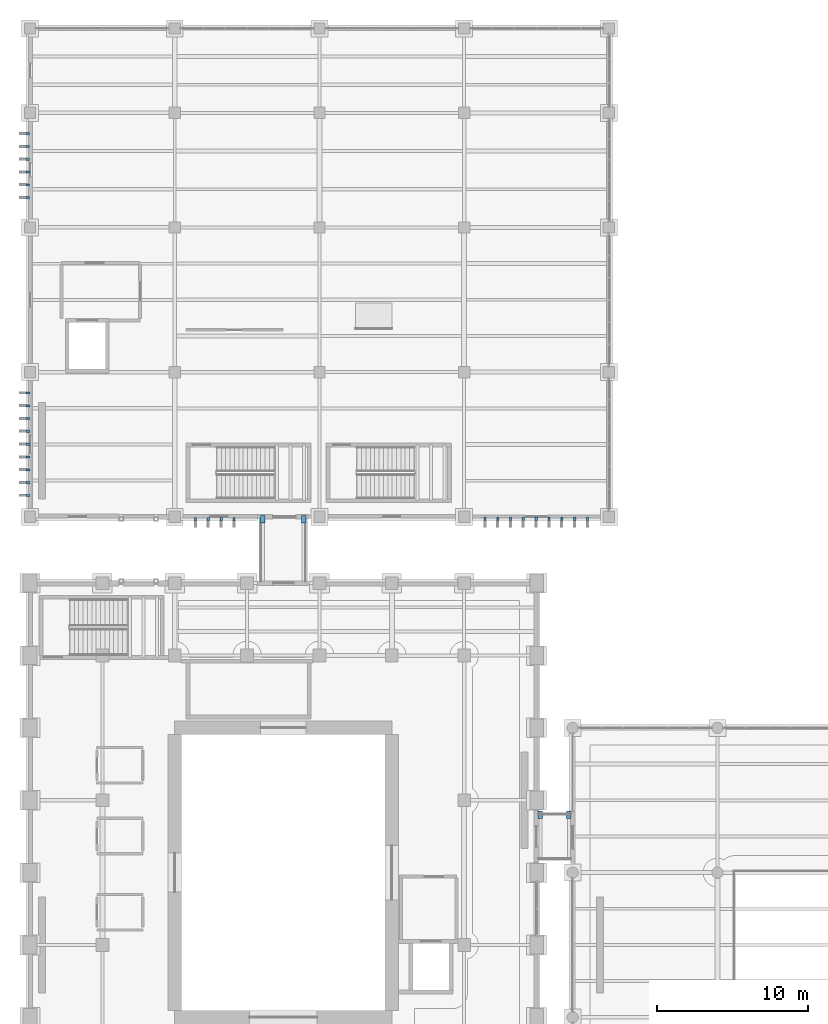
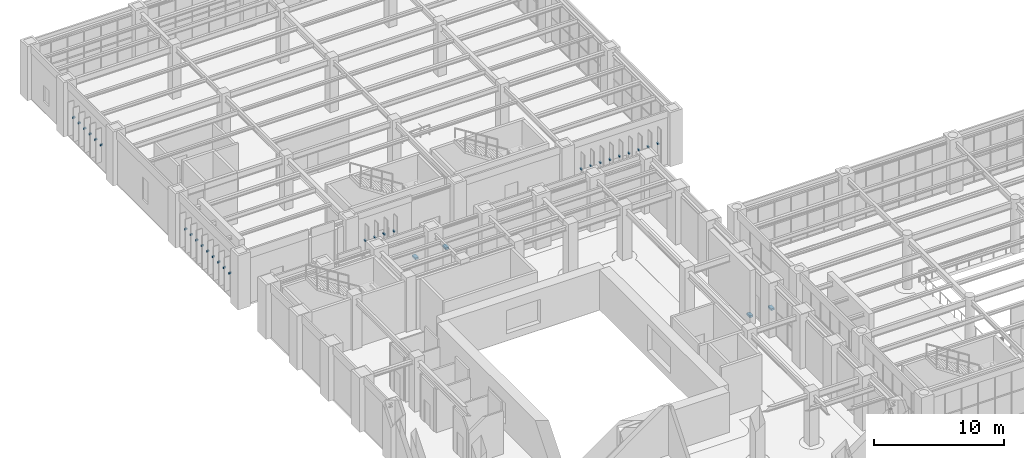
# One storey, part 151 of 174: 32 discrete accessories.
"""IFC4 building model written with IfcOpenShell, lengths in metres."""

import ifcopenshell
import ifcopenshell.guid

model = None  # the IFC model being written
_history = None  # IfcOwnerHistory: only IFC2X3 demands one
_inside = {}  # id of a spatial element -> (the spatial element, [elements in it])
_under = {}  # id of a project, library or spatial element -> (it, [spatial elements below it])
_declared = {}  # id of a project -> (the project, [libraries it declares])
_typed = {}  # id of a type object -> (the type object, [elements of that type])
_made_of = {}  # id of a material, layer set ... -> (it, [elements and type objects made of it])


def new_model(schema):
    """Start an empty IFC model of exactly this schema.

    Asked for "IFC4X3", IfcOpenShell would pick the latest addendum, in which some entities
    have other attributes; the version numbers below select the first issue.
    IFC2X3 requires an IfcOwnerHistory on every rooted entity: one is made here for all.
    """
    global model, _history
    if schema == "IFC4X3":
        model = ifcopenshell.file(schema_version=(4, 3, 0, 0))
    else:
        model = ifcopenshell.file(schema=schema)
    _inside.clear()
    _under.clear()
    _declared.clear()
    _typed.clear()
    _made_of.clear()
    _history = None
    if model.schema == "IFC2X3":
        org = make("IfcOrganization", Name="unknown")
        user = make(
            "IfcPersonAndOrganization",
            ThePerson=make("IfcPerson", FamilyName="unknown"),
            TheOrganization=org,
        )
        app = make(
            "IfcApplication",
            ApplicationDeveloper=org,
            Version="unknown",
            ApplicationFullName="unknown",
            ApplicationIdentifier="unknown",
        )
        _history = make(
            "IfcOwnerHistory",
            OwningUser=user,
            OwningApplication=app,
            ChangeAction="ADDED",
            CreationDate=0,
        )
    return model


def make(cls, **values):
    """One entity of the class cls with the attributes given. An attribute that is None is left unset."""
    return model.create_entity(
        cls, **{name: value for name, value in values.items() if value is not None}
    )


def rooted(cls, **values):
    """An entity with a GlobalId (a new one), such as an element, a storey or a relation."""
    return make(cls, GlobalId=ifcopenshell.guid.new(), OwnerHistory=_history, **values)


def si_unit(unit_type, name, prefix=None):
    """IfcSIUnit, for example si_unit("LENGTHUNIT", "METRE", prefix="MILLI")."""
    return make("IfcSIUnit", UnitType=unit_type, Prefix=prefix, Name=name)


def assignment(units):
    """IfcUnitAssignment: the units of a project."""
    return None if units is None else make("IfcUnitAssignment", Units=units)


def point(xyz):
    """IfcCartesianPoint."""
    return None if xyz is None else make("IfcCartesianPoint", Coordinates=xyz)


def direction(xyz):
    """IfcDirection."""
    return None if xyz is None else make("IfcDirection", DirectionRatios=xyz)


def frame(location, z_axis=None, x_axis=None):
    """IfcAxis2Placement3D, a coordinate frame: its origin and axes. An axis left out is left unset."""
    return make(
        "IfcAxis2Placement3D",
        Location=point(location),
        Axis=direction(z_axis),
        RefDirection=direction(x_axis),
    )


def frame_2d(location, x_axis=None):
    """IfcAxis2Placement2D, a coordinate frame in the plane: its origin and x axis."""
    return make(
        "IfcAxis2Placement2D", Location=point(location), RefDirection=direction(x_axis)
    )


def origin():
    """The frame at (0, 0, 0) with its axes left unset."""
    return frame((0.0, 0.0, 0.0))


def origin_2d():
    """The frame at (0, 0) in the plane with its x axis left unset."""
    return frame_2d((0.0, 0.0))


def place(relative_to, where):
    """IfcLocalPlacement: puts the frame where relative to a parent placement (None: the world)."""
    return make(
        "IfcLocalPlacement", PlacementRelTo=relative_to, RelativePlacement=where
    )


def context(
    kind, dimensions, precision=None, world=None, true_north=None, identifier=None
):
    """IfcGeometricRepresentationContext, for example the 3D "Model" context."""
    return make(
        "IfcGeometricRepresentationContext",
        ContextIdentifier=identifier,
        ContextType=kind,
        CoordinateSpaceDimension=dimensions,
        Precision=precision,
        WorldCoordinateSystem=world,
        TrueNorth=true_north,
    )


def subcontext(parent, identifier, kind, view, scale=None):
    """IfcGeometricRepresentationSubContext, for example "Body" below "Model"."""
    return make(
        "IfcGeometricRepresentationSubContext",
        ContextIdentifier=identifier,
        ContextType=kind,
        ParentContext=parent,
        TargetScale=scale,
        TargetView=view,
    )


def project(units=None, contexts=None):
    """IfcProject with its units and contexts."""
    return rooted(
        "IfcProject",
        Name="project",
        RepresentationContexts=contexts,
        UnitsInContext=assignment(units),
    )


def spatial(cls, under=None, at=None, **own):
    """A site, building, storey or space (cls), placed at a placement, below another one or the project."""
    s = rooted(cls, ObjectPlacement=at, **own)
    if under is not None:
        _under.setdefault(under.id(), (under, []))[1].append(s)
    return s


def profile(cls, at=None, kind="AREA", **sizes):
    """A parametric profile (cls). Its sizes go by their IFC names, for example OverallWidth=200.0."""
    return make(cls, ProfileType=kind, Position=at, **sizes)


def rectangle(**sizes):
    """IfcRectangleProfileDef."""
    return profile("IfcRectangleProfileDef", **sizes)


def extrude(swept, where, along, depth):
    """IfcExtrudedAreaSolid: the profile swept, set in the frame where, extruded along a direction by depth."""
    return make(
        "IfcExtrudedAreaSolid",
        SweptArea=swept,
        Position=where,
        ExtrudedDirection=direction(along),
        Depth=depth,
    )


def shape(context_of_items, identifier, shape_type, items):
    """IfcShapeRepresentation: the items that make up one representation, for example the "Body"."""
    return make(
        "IfcShapeRepresentation",
        ContextOfItems=context_of_items,
        RepresentationIdentifier=identifier,
        RepresentationType=shape_type,
        Items=items,
    )


def material(Name=None, Category=None):
    """IfcMaterial."""
    return make("IfcMaterial", Name=Name, Category=Category)


def made_of(thing, what):
    """Note that an element or type object is made of a material, layer set ...; save() writes the relation."""
    if what is not None:
        _made_of.setdefault(what.id(), (what, []))[1].append(thing)
    return thing


def type_object(cls, material=None, **own):
    """A type object (cls), such as IfcWallType, which elements share."""
    return made_of(rooted(cls, **own), material)


def element(
    cls,
    number,
    at=None,
    inside=None,
    cuts=None,
    type_object=None,
    material=None,
    context=None,
    identifier="Body",
    shape_type=None,
    held_by="IfcProductDefinitionShape",
    body=None,
    shapes=None,
    **own,
):
    """One element of the class cls, such as IfcWall. Its Tag is "e" and its number.

    at: its placement. inside: the storey or other place that contains it. cuts: it is an
    opening in that element (IfcRelVoidsElement). A single representation is given by context,
    identifier, shape_type and body (its items); several are given by shapes. held_by: the class
    of the entity that holds the representations. save() writes the other relations.
    """
    e = rooted(cls, Tag="e%d" % number, ObjectPlacement=at, **own)
    if body is not None:
        shapes = [shape(context, identifier, shape_type, body)]
    if shapes is not None:
        e.Representation = make(held_by, Representations=shapes)
    if inside is not None:
        _inside.setdefault(inside.id(), (inside, []))[1].append(e)
    if cuts is not None:
        rooted(
            "IfcRelVoidsElement", RelatingBuildingElement=cuts, RelatedOpeningElement=e
        )
    if type_object is not None:
        _typed.setdefault(type_object.id(), (type_object, []))[1].append(e)
    return made_of(e, material)


def aggregate(whole, parts):
    """IfcRelAggregates: a whole, such as a stair, and the parts it consists of."""
    return rooted("IfcRelAggregates", RelatingObject=whole, RelatedObjects=parts)


def save(model, path):
    """Write the relations noted so far, then the file.

    IfcRelAggregates (storeys below a building ...), IfcRelContainedInSpatialStructure (elements
    in a storey), IfcRelDefinesByType, IfcRelAssociatesMaterial and IfcRelDeclares: one each for
    every whole, place, type object, material and project.
    """
    for whole, parts in _under.values():
        aggregate(whole, parts)
    for where, things in _inside.values():
        rooted(
            "IfcRelContainedInSpatialStructure",
            RelatedElements=things,
            RelatingStructure=where,
        )
    for kind, things in _typed.values():
        rooted("IfcRelDefinesByType", RelatedObjects=things, RelatingType=kind)
    for what, things in _made_of.values():
        rooted("IfcRelAssociatesMaterial", RelatedObjects=things, RelatingMaterial=what)
    for by, libraries in _declared.values():
        rooted("IfcRelDeclares", RelatingContext=by, RelatedDefinitions=libraries)
    model.write(path)


model = new_model("IFC4")

# Units and contexts
model_context = context("Model", 3, precision=1e-05, world=origin(), true_north=direction((0.0, 1.0)))
body_context = subcontext(model_context, "Body", "Model", "MODEL_VIEW")
ifc_project = project(units=[si_unit("LENGTHUNIT", "METRE"), si_unit("AREAUNIT", "SQUARE_METRE"), si_unit("VOLUMEUNIT", "CUBIC_METRE"), si_unit("PLANEANGLEUNIT", "RADIAN"), si_unit("MASSUNIT", "GRAM", prefix="KILO")], contexts=[model_context])

# Site, building, storey
site_placement = place(None, origin())
site = spatial("IfcSite", under=ifc_project, at=site_placement, CompositionType="ELEMENT")
building_placement = place(site_placement, origin())
building = spatial("IfcBuilding", under=site, at=building_placement, Name="Mavantir Sound Aquarium", CompositionType="ELEMENT")
storey_placement = place(building_placement, frame((0.0, 0.0, 5.39990234375)))
storey = spatial("IfcBuildingStorey", under=building, at=storey_placement, Name="L01", CompositionType="ELEMENT", Elevation=5.39990234375)

# Discrete accessories
ifc_material_1 = material(Name="Stainless Steel 316 Marine Facade Bracket", Category="steel")
discrete_accessory_type_1 = type_object("IfcDiscreteAccessoryType", Name="ACC-FIN-BRK", PredefinedType="BRACKET", material=ifc_material_1)
for number, where, z_axis, x_axis, name in (
    (1, (-0.155029296875, 109.01708984375, 2.158203125), (0.0, 0.0, 1.0), (0.0, 1.0, 0.0), "Solar fin stainless anchor bracket 1"),
    (2, (-0.155029296875, 108.1669921875, 2.158203125), (0.0, 0.0, 1.0), (0.0, 1.0, 0.0), "Solar fin stainless anchor bracket 2"),
    (3, (-0.155029296875, 107.31689453125, 2.158203125), (0.0, 0.0, 1.0), (0.0, 1.0, 0.0), "Solar fin stainless anchor bracket 3"),
    (4, (-0.155029296875, 106.467041015625, 2.158203125), (0.0, 0.0, 1.0), (0.0, 1.0, 0.0), "Solar fin stainless anchor bracket 4"),
    (5, (-0.155029296875, 105.616943359375, 2.158203125), (0.0, 0.0, 1.0), (0.0, 1.0, 0.0), "Solar fin stainless anchor bracket 5"),
    (6, (-0.155029296875, 104.76708984375, 2.158203125), (0.0, 0.0, 1.0), (0.0, 1.0, 0.0), "Solar fin stainless anchor bracket 6"),
    (7, (-0.135009765625, 91.81689453125, 2.1044921875), (0.0, 0.0, 1.0), (0.0, 1.0, 0.0), "Solar fin stainless anchor bracket 7"),
    (8, (-0.135009765625, 90.967041015625, 2.1044921875), (0.0, 0.0, 1.0), (0.0, 1.0, 0.0), "Solar fin stainless anchor bracket 8"),
    (9, (-0.135009765625, 90.116943359375, 2.1044921875), (0.0, 0.0, 1.0), (0.0, 1.0, 0.0), "Solar fin stainless anchor bracket 9"),
    (10, (-0.135009765625, 89.26708984375, 2.1044921875), (0.0, 0.0, 1.0), (0.0, 1.0, 0.0), "Solar fin stainless anchor bracket 10"),
    (11, (-0.135009765625, 88.4169921875, 2.1044921875), (0.0, 0.0, 1.0), (0.0, 1.0, 0.0), "Solar fin stainless anchor bracket 11"),
    (12, (-0.135009765625, 87.56689453125, 2.1044921875), (0.0, 0.0, 1.0), (0.0, 1.0, 0.0), "Solar fin stainless anchor bracket 12"),
    (13, (-0.135009765625, 86.717041015625, 2.1044921875), (0.0, 0.0, 1.0), (0.0, 1.0, 0.0), "Solar fin stainless anchor bracket 13"),
    (14, (-0.135009765625, 85.866943359375, 2.1044921875), (0.0, 0.0, 1.0), (0.0, 1.0, 0.0), "Solar fin stainless anchor bracket 14"),
    (15, (-0.135009765625, 85.01708984375, 2.1044921875), (0.0, 0.0, 1.0), (0.0, 1.0, 0.0), "Solar fin stainless anchor bracket 15"),
    (16, (10.98291015625, 83.445068359375, 2.21142578125), (0.0, 0.0, 1.0), (-1.0, 0.0, 0.0), "Solar fin stainless anchor bracket 16"),
    (17, (11.8330078125, 83.445068359375, 2.21142578125), (0.0, 0.0, 1.0), (-1.0, 0.0, 0.0), "Solar fin stainless anchor bracket 17"),
    (18, (12.68310546875, 83.445068359375, 2.21142578125), (0.0, 0.0, 1.0), (-1.0, 0.0, 0.0), "Solar fin stainless anchor bracket 18"),
    (19, (13.532958984375, 83.445068359375, 2.21142578125), (0.0, 0.0, 1.0), (-1.0, 0.0, 0.0), "Solar fin stainless anchor bracket 19"),
    (20, (30.18310546875, 83.465087890625, 2.20166015625), (0.0, 0.0, 1.0), (-1.0, 0.0, 0.0), "Solar fin stainless anchor bracket 20"),
    (21, (31.032958984375, 83.465087890625, 2.20166015625), (0.0, 0.0, 1.0), (-1.0, 0.0, 0.0), "Solar fin stainless anchor bracket 21"),
    (22, (31.883056640625, 83.465087890625, 2.20166015625), (0.0, 0.0, 1.0), (-1.0, 0.0, 0.0), "Solar fin stainless anchor bracket 22"),
    (23, (32.73291015625, 83.465087890625, 2.20166015625), (0.0, 0.0, 1.0), (-1.0, 0.0, 0.0), "Solar fin stainless anchor bracket 23"),
    (24, (33.5830078125, 83.465087890625, 2.20166015625), (0.0, 0.0, 1.0), (-1.0, 0.0, 0.0), "Solar fin stainless anchor bracket 24"),
    (25, (34.43310546875, 83.465087890625, 2.20166015625), (0.0, 0.0, 1.0), (-1.0, 0.0, 0.0), "Solar fin stainless anchor bracket 25"),
    (26, (35.282958984375, 83.465087890625, 2.20166015625), (0.0, 0.0, 1.0), (-1.0, 0.0, 0.0), "Solar fin stainless anchor bracket 26"),
    (27, (36.133056640625, 83.465087890625, 2.20166015625), (0.0, 0.0, 1.0), (-1.0, 0.0, 0.0), "Solar fin stainless anchor bracket 27"),
    (28, (36.98291015625, 83.465087890625, 2.20166015625), (0.0, 0.0, 1.0), (-1.0, 0.0, 0.0), "Solar fin stainless anchor bracket 28"),
):
    element("IfcDiscreteAccessory", number, at=place(storey_placement, frame(where, z_axis=z_axis, x_axis=x_axis)), inside=storey, type_object=discrete_accessory_type_1, Name=name, PredefinedType="BRACKET", context=body_context, shape_type="SweptSolid", body=[
        extrude(rectangle(XDim=0.139892578125, YDim=0.239990234375, at=origin_2d()), origin(), (0.0, 0.0, 1.0), 0.139892578125),
    ])
ifc_material_2 = material(Name="PTFE Elastomeric Slide Bearing")
discrete_accessory_type_2 = type_object("IfcDiscreteAccessoryType", Name="ACC-PTFE-SHOE", PredefinedType="SHOE", material=ifc_material_2)
for number, where, z_axis, x_axis, name in (
    (29, (33.85009765625, 63.85009765625, -0.9287109375), (0.0, 0.0, 1.0), (1.0, 0.0, 0.0), "Unguided PTFE slide bearing 1.1"),
    (30, (35.75, 63.85009765625, -0.9287109375), (0.0, 0.0, 1.0), (1.0, 0.0, 0.0), "Unguided PTFE slide bearing 1.2"),
    (31, (15.449951171875, 83.449951171875, -0.9287109375), (0.0, 0.0, 1.0), (1.0, 0.0, 0.0), "Unguided PTFE slide bearing 3.1"),
    (32, (18.14990234375, 83.449951171875, -0.9287109375), (0.0, 0.0, 1.0), (1.0, 0.0, 0.0), "Unguided PTFE slide bearing 3.2"),
):
    element("IfcDiscreteAccessory", number, at=place(storey_placement, frame(where, z_axis=z_axis, x_axis=x_axis)), inside=storey, type_object=discrete_accessory_type_2, Name=name, PredefinedType="SHOE", context=body_context, shape_type="SweptSolid", body=[
        extrude(rectangle(XDim=0.300048828125, YDim=0.5, at=origin_2d()), origin(), (0.0, 0.0, 1.0), 0.179931640625),
    ])

save(model, "model.ifc")
